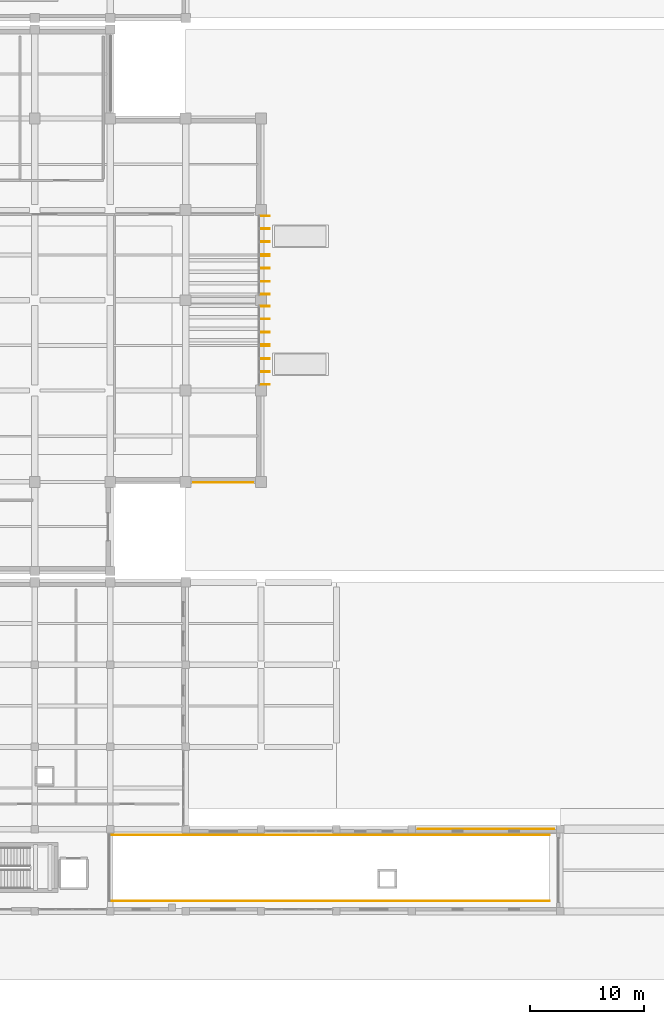
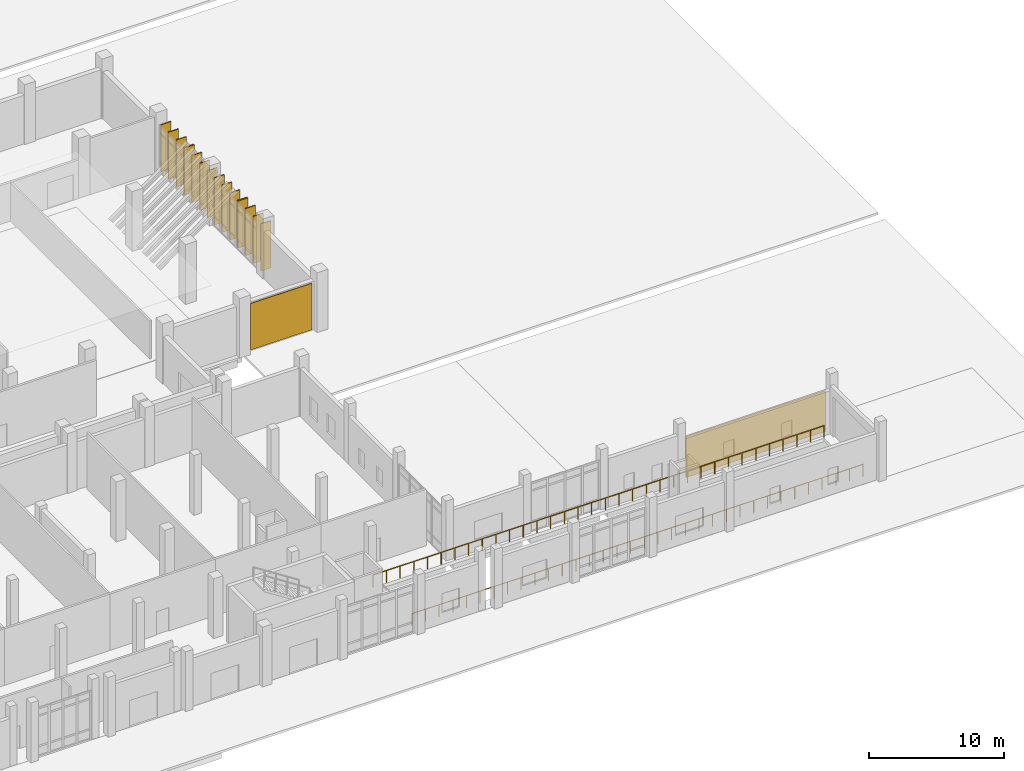
# One storey, part 79 of 79: 16 shading devices, 2 coverings, 2 railings.
"""IFC4 building model written with IfcOpenShell, lengths in metres."""

from ifc_helpers import new_model, si_unit, direction, frame, origin, origin_2d, place, context, subcontext, project, spatial, rectangle, circle, extrude, material, layer, layer_set, type_object, element, save


model = new_model("IFC4")

# Units and contexts
model_context = context("Model", 3, precision=1e-05, world=origin(), true_north=direction((0.0, 1.0)))
body_context = subcontext(model_context, "Body", "Model", "MODEL_VIEW")
ifc_project = project(units=[si_unit("LENGTHUNIT", "METRE"), si_unit("AREAUNIT", "SQUARE_METRE"), si_unit("VOLUMEUNIT", "CUBIC_METRE"), si_unit("PLANEANGLEUNIT", "RADIAN"), si_unit("MASSUNIT", "GRAM", prefix="KILO")], contexts=[model_context])

# Site, building, storey
site_placement = place(None, origin())
site = spatial("IfcSite", under=ifc_project, at=site_placement, CompositionType="ELEMENT")
building_placement = place(site_placement, origin())
building = spatial("IfcBuilding", under=site, at=building_placement, Name="Kelarvand Opera House", CompositionType="ELEMENT")
storey_placement = place(building_placement, origin())
storey = spatial("IfcBuildingStorey", under=building, at=storey_placement, Name="L00", CompositionType="ELEMENT", Elevation=0.0)

# Coverings
ifc_material_1 = material(Name="Azarshahr buff travertine stone panels", Category="masonry")
ifc_layer_1 = layer(ifc_material_1, 0.06005859375, Name="Azarshahr buff travertine stone panels", Category="masonry")
ifc_layer_set_1 = layer_set([ifc_layer_1], Name="Azarshahr buff travertine stone panels")
covering_type = type_object("IfcCoveringType", Name="Azarshahr Honed Travertine Rainscreen Cladding 60mm", PredefinedType="CLADDING", material=ifc_layer_set_1)
covering_1_placement = place(storey_placement, frame((138.5, 46.553955078125, 0.10009765625), z_axis=(0.0, 0.0, 1.0), x_axis=(-1.0, 0.0, 0.0)))
element("IfcCovering", 1, at=covering_1_placement, inside=storey, type_object=covering_type, Name="V1 Travertine Facade Cladding 2", PredefinedType="CLADDING", context=body_context, shape_type="SweptSolid", body=[
    extrude(rectangle(XDim=5.25, YDim=0.06005859375, at=origin_2d()), origin(), (0.0, 0.0, 1.0), 4.19189453125),
])
covering_2_placement = place(storey_placement, frame((161.5, 16.2060546875, 0.10009765625), z_axis=(0.0, 0.0, 1.0), x_axis=(1.0, 0.0, 0.0)))
element("IfcCovering", 2, at=covering_2_placement, inside=storey, type_object=covering_type, Name="V6 Travertine Facade Cladding 25", PredefinedType="CLADDING", context=body_context, shape_type="SweptSolid", body=[
    extrude(rectangle(XDim=11.949951171875, YDim=0.06005859375, at=origin_2d()), origin(), (0.0, 0.0, 1.0), 3.69189453125),
])

# Railings
ifc_material_2 = material(Name="Powder-coated Steel S355", Category="steel")
railing_type = type_object("IfcRailingType", Name="Painted Steel Stair and Void Guardrail 1100", PredefinedType="GUARDRAIL", material=ifc_material_2)
railing_1_placement = place(storey_placement, frame((167.050048828125, 9.919921875, 0.0)))
element("IfcRailing", 3, at=railing_1_placement, inside=storey, type_object=railing_type, Name="V6 L00 Guardrail 16", PredefinedType="GUARDRAIL", context=body_context, shape_type="SweptSolid", body=[
    extrude(circle(Radius=0.02392578125, at=origin_2d()), frame((0.0, 0.0, 1.076171875), z_axis=(-1.0, 0.0, 0.0), x_axis=(0.0, -1.0, 0.0)), (0.0, 0.0, 1.0), 38.530029296875),
    extrude(circle(Radius=0.02099609375, at=origin_2d()), origin(), (0.0, 0.0, 1.0), 1.052001953125),
    extrude(circle(Radius=0.02099609375, at=origin_2d()), frame((-1.16748046875, 0.0, 0.0)), (0.0, 0.0, 1.0), 1.052001953125),
    extrude(circle(Radius=0.02099609375, at=origin_2d()), frame((-2.335205078125, 0.0, 0.0)), (0.0, 0.0, 1.0), 1.052001953125),
    extrude(circle(Radius=0.02099609375, at=origin_2d()), frame((-3.502685546875, 0.0, 0.0)), (0.0, 0.0, 1.0), 1.052001953125),
    extrude(circle(Radius=0.02099609375, at=origin_2d()), frame((-4.67041015625, 0.0, 0.0)), (0.0, 0.0, 1.0), 1.052001953125),
    extrude(circle(Radius=0.02099609375, at=origin_2d()), frame((-5.837890625, 0.0, 0.0)), (0.0, 0.0, 1.0), 1.052001953125),
    extrude(circle(Radius=0.02099609375, at=origin_2d()), frame((-7.00537109375, 0.0, 0.0)), (0.0, 0.0, 1.0), 1.052001953125),
    extrude(circle(Radius=0.02099609375, at=origin_2d()), frame((-8.173095703125, 0.0, 0.0)), (0.0, 0.0, 1.0), 1.052001953125),
    extrude(circle(Radius=0.02099609375, at=origin_2d()), frame((-9.340576171875, 0.0, 0.0)), (0.0, 0.0, 1.0), 1.052001953125),
    extrude(circle(Radius=0.02099609375, at=origin_2d()), frame((-10.50830078125, 0.0, 0.0)), (0.0, 0.0, 1.0), 1.052001953125),
    extrude(circle(Radius=0.02099609375, at=origin_2d()), frame((-11.67578125, 0.0, 0.0)), (0.0, 0.0, 1.0), 1.052001953125),
    extrude(circle(Radius=0.02099609375, at=origin_2d()), frame((-12.84326171875, 0.0, 0.0)), (0.0, 0.0, 1.0), 1.052001953125),
    extrude(circle(Radius=0.02099609375, at=origin_2d()), frame((-14.010986328125, 0.0, 0.0)), (0.0, 0.0, 1.0), 1.052001953125),
    extrude(circle(Radius=0.02099609375, at=origin_2d()), frame((-15.178466796875, 0.0, 0.0)), (0.0, 0.0, 1.0), 1.052001953125),
    extrude(circle(Radius=0.02099609375, at=origin_2d()), frame((-16.34619140625, 0.0, 0.0)), (0.0, 0.0, 1.0), 1.052001953125),
    extrude(circle(Radius=0.02099609375, at=origin_2d()), frame((-17.513671875, 0.0, 0.0)), (0.0, 0.0, 1.0), 1.052001953125),
    extrude(circle(Radius=0.02099609375, at=origin_2d()), frame((-18.68115234375, 0.0, 0.0)), (0.0, 0.0, 1.0), 1.052001953125),
    extrude(circle(Radius=0.02099609375, at=origin_2d()), frame((-19.848876953125, 0.0, 0.0)), (0.0, 0.0, 1.0), 1.052001953125),
    extrude(circle(Radius=0.02099609375, at=origin_2d()), frame((-21.016357421875, 0.0, 0.0)), (0.0, 0.0, 1.0), 1.052001953125),
    extrude(circle(Radius=0.02099609375, at=origin_2d()), frame((-22.183837890625, 0.0, 0.0)), (0.0, 0.0, 1.0), 1.052001953125),
    extrude(circle(Radius=0.02099609375, at=origin_2d()), frame((-23.3515625, 0.0, 0.0)), (0.0, 0.0, 1.0), 1.052001953125),
    extrude(circle(Radius=0.02099609375, at=origin_2d()), frame((-24.51904296875, 0.0, 0.0)), (0.0, 0.0, 1.0), 1.052001953125),
    extrude(circle(Radius=0.02099609375, at=origin_2d()), frame((-25.686767578125, 0.0, 0.0)), (0.0, 0.0, 1.0), 1.052001953125),
    extrude(circle(Radius=0.02099609375, at=origin_2d()), frame((-26.854248046875, 0.0, 0.0)), (0.0, 0.0, 1.0), 1.052001953125),
    extrude(circle(Radius=0.02099609375, at=origin_2d()), frame((-28.021728515625, 0.0, 0.0)), (0.0, 0.0, 1.0), 1.052001953125),
    extrude(circle(Radius=0.02099609375, at=origin_2d()), frame((-29.189453125, 0.0, 0.0)), (0.0, 0.0, 1.0), 1.052001953125),
    extrude(circle(Radius=0.02099609375, at=origin_2d()), frame((-30.35693359375, 0.0, 0.0)), (0.0, 0.0, 1.0), 1.052001953125),
    extrude(circle(Radius=0.02099609375, at=origin_2d()), frame((-31.524658203125, 0.0, 0.0)), (0.0, 0.0, 1.0), 1.052001953125),
    extrude(circle(Radius=0.02099609375, at=origin_2d()), frame((-32.692138671875, 0.0, 0.0)), (0.0, 0.0, 1.0), 1.052001953125),
    extrude(circle(Radius=0.02099609375, at=origin_2d()), frame((-33.859619140625, 0.0, 0.0)), (0.0, 0.0, 1.0), 1.052001953125),
    extrude(circle(Radius=0.02099609375, at=origin_2d()), frame((-35.02734375, 0.0, 0.0)), (0.0, 0.0, 1.0), 1.052001953125),
    extrude(circle(Radius=0.02099609375, at=origin_2d()), frame((-36.19482421875, 0.0, 0.0)), (0.0, 0.0, 1.0), 1.052001953125),
    extrude(circle(Radius=0.02099609375, at=origin_2d()), frame((-37.362548828125, 0.0, 0.0)), (0.0, 0.0, 1.0), 1.052001953125),
    extrude(circle(Radius=0.02099609375, at=origin_2d()), frame((-38.530029296875, 0.0, 0.0)), (0.0, 0.0, 1.0), 1.052001953125),
])
railing_2_placement = place(storey_placement, frame((128.52001953125, 15.679931640625, 0.0)))
element("IfcRailing", 4, at=railing_2_placement, inside=storey, type_object=railing_type, Name="V6 L00 Guardrail 18", PredefinedType="GUARDRAIL", context=body_context, shape_type="SweptSolid", body=[
    extrude(circle(Radius=0.02392578125, at=origin_2d()), frame((0.0, 0.0, 1.076171875), z_axis=(1.0, 0.0, 0.0), x_axis=(0.0, 1.0, 0.0)), (0.0, 0.0, 1.0), 38.530029296875),
    extrude(circle(Radius=0.02099609375, at=origin_2d()), origin(), (0.0, 0.0, 1.0), 1.052001953125),
    extrude(circle(Radius=0.02099609375, at=origin_2d()), frame((1.16748046875, 0.0, 0.0)), (0.0, 0.0, 1.0), 1.052001953125),
    extrude(circle(Radius=0.02099609375, at=origin_2d()), frame((2.335205078125, 0.0, 0.0)), (0.0, 0.0, 1.0), 1.052001953125),
    extrude(circle(Radius=0.02099609375, at=origin_2d()), frame((3.502685546875, 0.0, 0.0)), (0.0, 0.0, 1.0), 1.052001953125),
    extrude(circle(Radius=0.02099609375, at=origin_2d()), frame((4.67041015625, 0.0, 0.0)), (0.0, 0.0, 1.0), 1.052001953125),
    extrude(circle(Radius=0.02099609375, at=origin_2d()), frame((5.837890625, 0.0, 0.0)), (0.0, 0.0, 1.0), 1.052001953125),
    extrude(circle(Radius=0.02099609375, at=origin_2d()), frame((7.00537109375, 0.0, 0.0)), (0.0, 0.0, 1.0), 1.052001953125),
    extrude(circle(Radius=0.02099609375, at=origin_2d()), frame((8.173095703125, 0.0, 0.0)), (0.0, 0.0, 1.0), 1.052001953125),
    extrude(circle(Radius=0.02099609375, at=origin_2d()), frame((9.340576171875, 0.0, 0.0)), (0.0, 0.0, 1.0), 1.052001953125),
    extrude(circle(Radius=0.02099609375, at=origin_2d()), frame((10.50830078125, 0.0, 0.0)), (0.0, 0.0, 1.0), 1.052001953125),
    extrude(circle(Radius=0.02099609375, at=origin_2d()), frame((11.67578125, 0.0, 0.0)), (0.0, 0.0, 1.0), 1.052001953125),
    extrude(circle(Radius=0.02099609375, at=origin_2d()), frame((12.84326171875, 0.0, 0.0)), (0.0, 0.0, 1.0), 1.052001953125),
    extrude(circle(Radius=0.02099609375, at=origin_2d()), frame((14.010986328125, 0.0, 0.0)), (0.0, 0.0, 1.0), 1.052001953125),
    extrude(circle(Radius=0.02099609375, at=origin_2d()), frame((15.178466796875, 0.0, 0.0)), (0.0, 0.0, 1.0), 1.052001953125),
    extrude(circle(Radius=0.02099609375, at=origin_2d()), frame((16.34619140625, 0.0, 0.0)), (0.0, 0.0, 1.0), 1.052001953125),
    extrude(circle(Radius=0.02099609375, at=origin_2d()), frame((17.513671875, 0.0, 0.0)), (0.0, 0.0, 1.0), 1.052001953125),
    extrude(circle(Radius=0.02099609375, at=origin_2d()), frame((18.68115234375, 0.0, 0.0)), (0.0, 0.0, 1.0), 1.052001953125),
    extrude(circle(Radius=0.02099609375, at=origin_2d()), frame((19.848876953125, 0.0, 0.0)), (0.0, 0.0, 1.0), 1.052001953125),
    extrude(circle(Radius=0.02099609375, at=origin_2d()), frame((21.016357421875, 0.0, 0.0)), (0.0, 0.0, 1.0), 1.052001953125),
    extrude(circle(Radius=0.02099609375, at=origin_2d()), frame((22.183837890625, 0.0, 0.0)), (0.0, 0.0, 1.0), 1.052001953125),
    extrude(circle(Radius=0.02099609375, at=origin_2d()), frame((23.3515625, 0.0, 0.0)), (0.0, 0.0, 1.0), 1.052001953125),
    extrude(circle(Radius=0.02099609375, at=origin_2d()), frame((24.51904296875, 0.0, 0.0)), (0.0, 0.0, 1.0), 1.052001953125),
    extrude(circle(Radius=0.02099609375, at=origin_2d()), frame((25.686767578125, 0.0, 0.0)), (0.0, 0.0, 1.0), 1.052001953125),
    extrude(circle(Radius=0.02099609375, at=origin_2d()), frame((26.854248046875, 0.0, 0.0)), (0.0, 0.0, 1.0), 1.052001953125),
    extrude(circle(Radius=0.02099609375, at=origin_2d()), frame((28.021728515625, 0.0, 0.0)), (0.0, 0.0, 1.0), 1.052001953125),
    extrude(circle(Radius=0.02099609375, at=origin_2d()), frame((29.189453125, 0.0, 0.0)), (0.0, 0.0, 1.0), 1.052001953125),
    extrude(circle(Radius=0.02099609375, at=origin_2d()), frame((30.35693359375, 0.0, 0.0)), (0.0, 0.0, 1.0), 1.052001953125),
    extrude(circle(Radius=0.02099609375, at=origin_2d()), frame((31.524658203125, 0.0, 0.0)), (0.0, 0.0, 1.0), 1.052001953125),
    extrude(circle(Radius=0.02099609375, at=origin_2d()), frame((32.692138671875, 0.0, 0.0)), (0.0, 0.0, 1.0), 1.052001953125),
    extrude(circle(Radius=0.02099609375, at=origin_2d()), frame((33.859619140625, 0.0, 0.0)), (0.0, 0.0, 1.0), 1.052001953125),
    extrude(circle(Radius=0.02099609375, at=origin_2d()), frame((35.02734375, 0.0, 0.0)), (0.0, 0.0, 1.0), 1.052001953125),
    extrude(circle(Radius=0.02099609375, at=origin_2d()), frame((36.19482421875, 0.0, 0.0)), (0.0, 0.0, 1.0), 1.052001953125),
    extrude(circle(Radius=0.02099609375, at=origin_2d()), frame((37.362548828125, 0.0, 0.0)), (0.0, 0.0, 1.0), 1.052001953125),
    extrude(circle(Radius=0.02099609375, at=origin_2d()), frame((38.530029296875, 0.0, 0.0)), (0.0, 0.0, 1.0), 1.052001953125),
])

# Shading devices
ifc_material_3 = material(Name="Bronze-framed Azarshahr travertine fin", Category="masonry")
ifc_layer_2 = layer(ifc_material_3, 0.080078125, Name="Bronze-framed Azarshahr travertine fin", Category="masonry")
ifc_layer_set_2 = layer_set([ifc_layer_2], Name="Bronze-framed Azarshahr travertine fin")
shading_device_type = type_object("IfcShadingDeviceType", Name="Vertical Travertine-Bronze Solar Fin 850x80", PredefinedType="USERDEFINED", material=ifc_layer_set_2)
for number, where, z_axis, x_axis, name in (
    (5, (142.139892578125, 69.87744140625, 0.0), (0.0, 0.0, 1.0), (1.0, 0.0, 0.0), "V1 Solar Fin 1"),
    (6, (142.139892578125, 68.76123046875, 0.0), (0.0, 0.0, 1.0), (1.0, 0.0, 0.0), "V1 Solar Fin 2"),
    (7, (142.139892578125, 67.607666015625, 0.0), (0.0, 0.0, 1.0), (1.0, 0.0, 0.0), "V1 Solar Fin 3"),
    (8, (142.139892578125, 66.491455078125, 0.0), (0.0, 0.0, 1.0), (1.0, 0.0, 0.0), "V1 Solar Fin 4"),
    (9, (142.139892578125, 66.41259765625, 0.0), (0.0, 0.0, 1.0), (1.0, 0.0, 0.0), "V1 Solar Fin 5"),
    (10, (142.139892578125, 65.294921875, 0.0), (0.0, 0.0, 1.0), (1.0, 0.0, 0.0), "V1 Solar Fin 6"),
    (11, (142.139892578125, 64.139892578125, 0.0), (0.0, 0.0, 1.0), (1.0, 0.0, 0.0), "V1 Solar Fin 7"),
    (12, (142.139892578125, 63.0224609375, 0.0), (0.0, 0.0, 1.0), (1.0, 0.0, 0.0), "V1 Solar Fin 8"),
    (13, (142.139892578125, 61.9775390625, 0.0), (0.0, 0.0, 1.0), (1.0, 0.0, 0.0), "V1 Solar Fin 9"),
    (14, (142.139892578125, 60.861328125, 0.0), (0.0, 0.0, 1.0), (1.0, 0.0, 0.0), "V1 Solar Fin 10"),
    (15, (142.139892578125, 59.707763671875, 0.0), (0.0, 0.0, 1.0), (1.0, 0.0, 0.0), "V1 Solar Fin 11"),
    (16, (142.139892578125, 58.591552734375, 0.0), (0.0, 0.0, 1.0), (1.0, 0.0, 0.0), "V1 Solar Fin 12"),
    (17, (142.139892578125, 58.512451171875, 0.0), (0.0, 0.0, 1.0), (1.0, 0.0, 0.0), "V1 Solar Fin 13"),
    (18, (142.139892578125, 57.39501953125, 0.0), (0.0, 0.0, 1.0), (1.0, 0.0, 0.0), "V1 Solar Fin 14"),
    (19, (142.139892578125, 56.239990234375, 0.0), (0.0, 0.0, 1.0), (1.0, 0.0, 0.0), "V1 Solar Fin 15"),
    (20, (142.139892578125, 55.12255859375, 0.0), (0.0, 0.0, 1.0), (1.0, 0.0, 0.0), "V1 Solar Fin 16"),
):
    element("IfcShadingDevice", number, at=place(storey_placement, frame(where, z_axis=z_axis, x_axis=x_axis)), inside=storey, type_object=shading_device_type, Name=name, ObjectType="FIN", PredefinedType="USERDEFINED", context=body_context, shape_type="SweptSolid", body=[
        extrude(rectangle(XDim=0.85009765625, YDim=0.080078125, at=origin_2d()), origin(), (0.0, 0.0, 1.0), 4.25),
    ])

save(model, "model.ifc")
